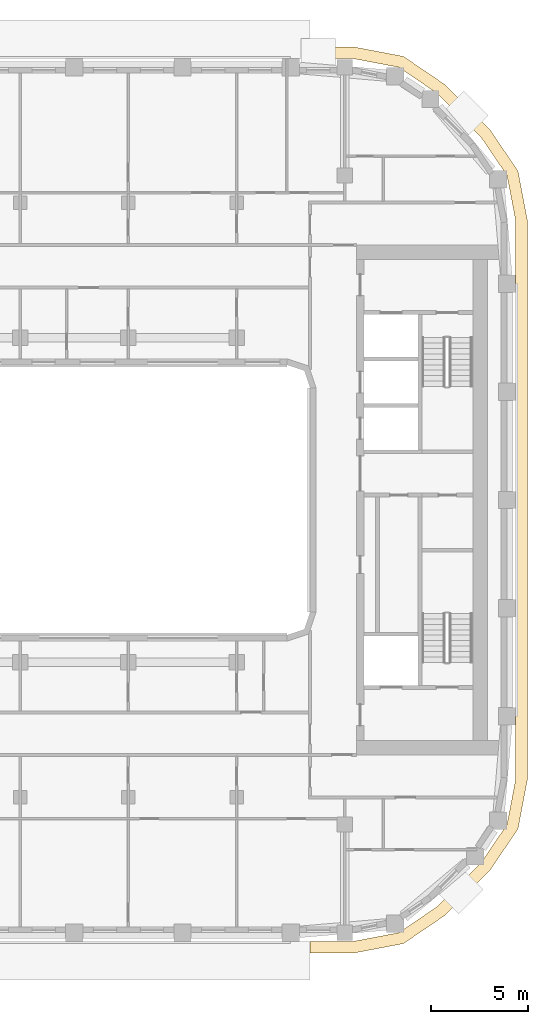
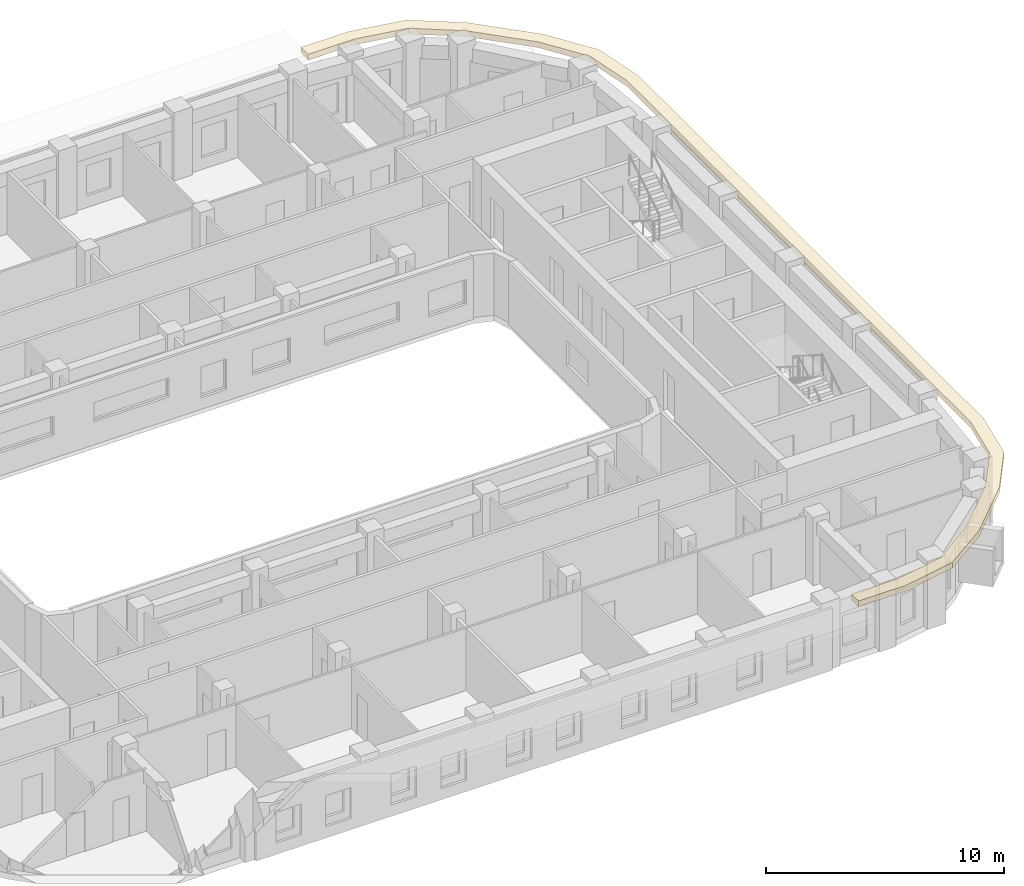
# One storey, part 17 of 21: 1 covering.
"""IFC4 building model written with IfcOpenShell, lengths in metres."""

from ifc_helpers import new_model, si_unit, direction, frame, origin, place, context, subcontext, project, spatial, polyline, outline, extrude, material, layer, layer_set, type_object, element, save


model = new_model("IFC4")

# Units and contexts
model_context = context("Model", 3, precision=1e-05, world=origin(), true_north=direction((0.0, 1.0)))
body_context = subcontext(model_context, "Body", "Model", "MODEL_VIEW")
ifc_project = project(units=[si_unit("LENGTHUNIT", "METRE"), si_unit("AREAUNIT", "SQUARE_METRE"), si_unit("VOLUMEUNIT", "CUBIC_METRE"), si_unit("PLANEANGLEUNIT", "RADIAN"), si_unit("MASSUNIT", "GRAM", prefix="KILO")], contexts=[model_context])

# Site, building, storey
site_placement = place(None, origin())
site = spatial("IfcSite", under=ifc_project, at=site_placement, CompositionType="ELEMENT")
building_placement = place(site_placement, origin())
building = spatial("IfcBuilding", under=site, at=building_placement, Name="Kiln Ring Residences", CompositionType="ELEMENT")
storey_placement = place(building_placement, frame((0.0, 0.0, 199.39990234375)))
storey = spatial("IfcBuildingStorey", under=building, at=storey_placement, Name="L51", CompositionType="ELEMENT", Elevation=199.39990234375)

# Covering
ifc_material = material(Name="Black powder-coated steel", Category="steel")
ifc_layer = layer(ifc_material, 0.300048828125)
ifc_layer_set = layer_set([ifc_layer], Name="SUNSHADE FIN 600")
covering_type = type_object("IfcCoveringType", Name="SUNSHADE FIN 600", PredefinedType="CLADDING", material=ifc_layer_set)
covering_placement = place(storey_placement, frame((0.0, 0.0, 3.2001953125)))
element("IfcCovering", 1, at=covering_placement, inside=storey, type_object=covering_type, Name="SUNSHADE FIN L51", PredefinedType="CLADDING", context=body_context, shape_type="SweptSolid", body=[
    extrude(outline(polyline([(17.29931640625, 23.449951171875), (15.0, 23.449951171875), (15.0, 22.85009765625), (17.242431640625, 22.85009765625), (19.60009765625, 22.400390625), (21.585205078125, 21.05126953125), (23.851318359375, 18.78515625), (25.2001953125, 16.800048828125), (25.64990234375, 14.4423828125), (25.64990234375, -14.4423828125), (25.2001953125, -16.800048828125), (23.851318359375, -18.78515625), (21.585205078125, -21.05126953125), (19.60009765625, -22.400390625), (17.242431640625, -22.85009765625), (15.0, -22.85009765625), (15.0, -23.449951171875), (17.29931640625, -23.449951171875), (19.834716796875, -22.96630859375), (21.96923828125, -21.515625), (24.315673828125, -19.169189453125), (25.766357421875, -17.03466796875), (26.25, -14.499267578125), (26.25, 14.499267578125), (25.766357421875, 17.03466796875), (24.315673828125, 19.169189453125), (21.96923828125, 21.515625), (19.834716796875, 22.96630859375), (17.29931640625, 23.449951171875)])), origin(), (0.0, 0.0, 1.0), 0.2998046875),
])

save(model, "model.ifc")
